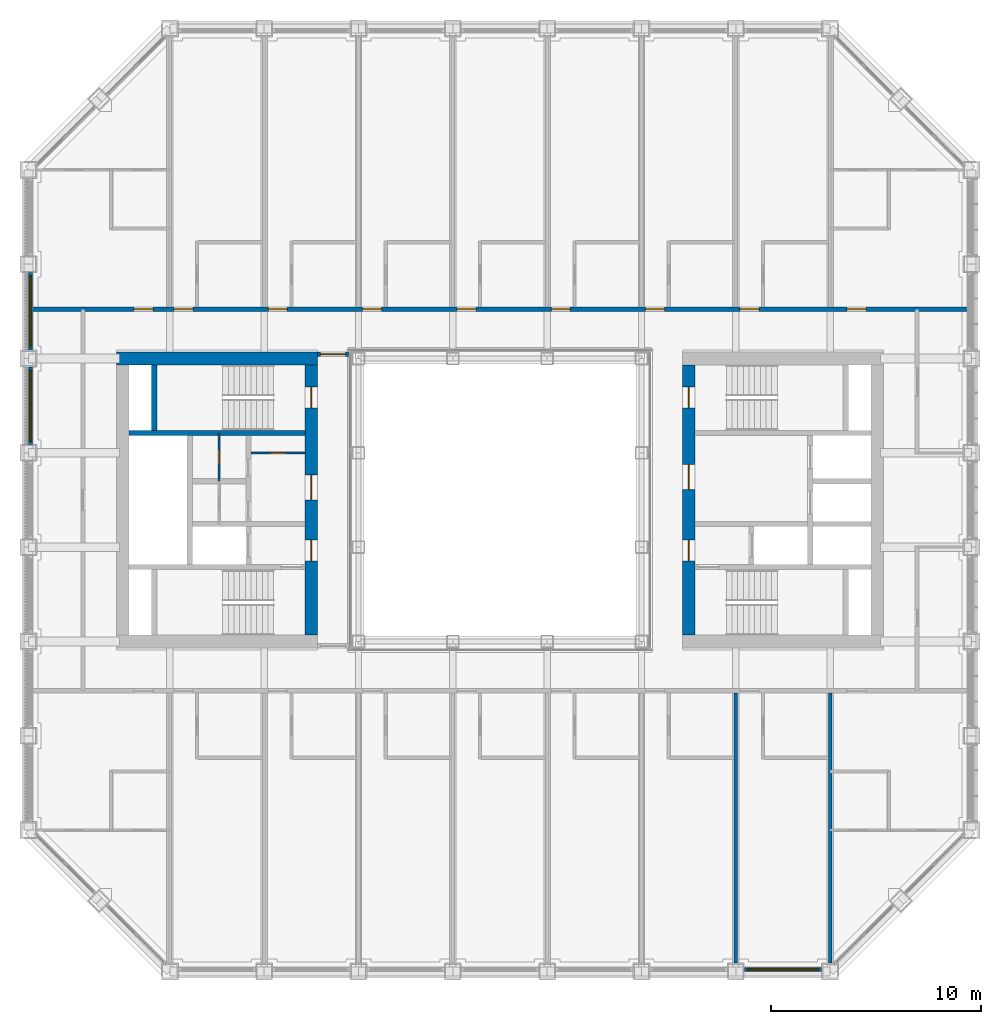
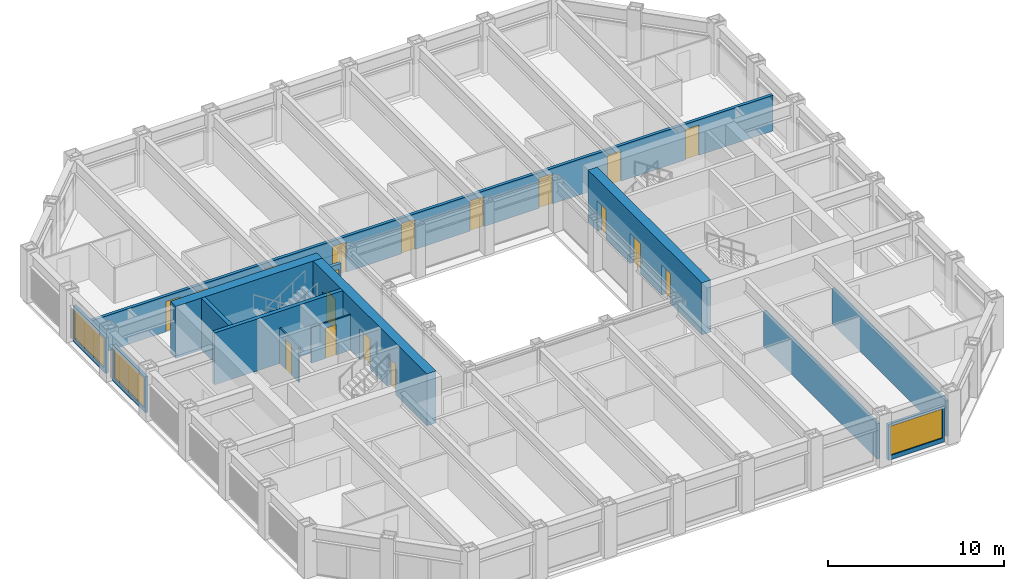
# One storey, part 12 of 18: 18 doors, 14 walls, 3 windows, 21 openings.
"""IFC4 building model written with IfcOpenShell, lengths in metres."""

from ifc_helpers import new_model, si_unit, direction, frame, frame_2d, origin, place, context, subcontext, project, spatial, rectangle, extrude, material, layer, layer_set, type_object, element, fill, save


model = new_model("IFC4")

# Units and contexts
model_context = context("Model", 3, precision=1e-05, world=origin(), true_north=direction((0.0, 1.0)))
body_context = subcontext(model_context, "Body", "Model", "MODEL_VIEW")
ifc_project = project(units=[si_unit("LENGTHUNIT", "METRE"), si_unit("AREAUNIT", "SQUARE_METRE"), si_unit("VOLUMEUNIT", "CUBIC_METRE"), si_unit("PLANEANGLEUNIT", "RADIAN"), si_unit("MASSUNIT", "GRAM", prefix="KILO")], contexts=[model_context])

# Site, building, storey
site_placement = place(None, origin())
site = spatial("IfcSite", under=ifc_project, at=site_placement, CompositionType="ELEMENT")
building_placement = place(site_placement, origin())
building = spatial("IfcBuilding", under=site, at=building_placement, Name="Msasa Ring Tower", CompositionType="ELEMENT")
storey_placement = place(building_placement, frame((0.0, 0.0, 118.39990234375)))
storey = spatial("IfcBuildingStorey", under=building, at=storey_placement, Name="L30", CompositionType="ELEMENT", Elevation=118.39990234375)

# Wall, openings, doors
ifc_material_1 = material(Name="Concrete C60/75", Category="concrete")
ifc_layer_1 = layer(ifc_material_1, 0.60009765625)
ifc_layer_set_1 = layer_set([ifc_layer_1], Name="CW2 CORE WALL 600")
wall_type_1 = type_object("IfcWallType", Name="CW2 CORE WALL 600", PredefinedType="SHEAR", material=ifc_layer_set_1)
wall_1_placement = place(storey_placement, frame((9.0, -6.449951171875, 0.0), z_axis=(0.0, 0.0, 1.0), x_axis=(0.0, 1.0, 0.0)))
wall_1 = element("IfcWall", 1, at=wall_1_placement, inside=storey, type_object=wall_type_1, Name="E core wall W L30", PredefinedType="SHEAR", context=body_context, shape_type="SweptSolid", body=[
    extrude(rectangle(XDim=12.89990234375, YDim=0.60009765625, at=frame_2d((6.449951171875, 0.0))), origin(), (0.0, 0.0, 1.0), 3.60009765625),
])
opening_1_placement = place(wall_1_placement, frame((3.550048828125, 0.0, 0.0)))
opening_1 = element("IfcOpeningElement", 2, at=opening_1_placement, cuts=wall_1, Name="Opening HA-034", PredefinedType="OPENING", context=body_context, shape_type="SweptSolid", body=[
    extrude(rectangle(XDim=1.0, YDim=2.10009765625, at=frame_2d((0.5, 1.050048828125))), frame((0.0, 0.31005859375, 0.0), z_axis=(0.0, -1.0, 0.0), x_axis=(1.0, 0.0, 0.0)), (0.0, 0.0, 1.0), 0.6201171875),
])
opening_2_placement = place(wall_1_placement, frame((6.949951171875, 0.0, 0.0)))
opening_2 = element("IfcOpeningElement", 3, at=opening_2_placement, cuts=wall_1, Name="Opening HA-028", PredefinedType="OPENING", context=body_context, shape_type="SweptSolid", body=[
    extrude(rectangle(XDim=1.199951171875, YDim=2.10009765625, at=frame_2d((0.60009765625, 1.050048828125))), frame((0.0, 0.31005859375, 0.0), z_axis=(0.0, -1.0, 0.0), x_axis=(1.0, 0.0, 0.0)), (0.0, 0.0, 1.0), 0.6201171875),
])
opening_3_placement = place(wall_1_placement, frame((10.85009765625, 0.0, 0.0)))
opening_3 = element("IfcOpeningElement", 4, at=opening_3_placement, cuts=wall_1, Name="Opening HA-024", PredefinedType="OPENING", context=body_context, shape_type="SweptSolid", body=[
    extrude(rectangle(XDim=1.0, YDim=2.10009765625, at=frame_2d((0.5, 1.050048828125))), frame((0.0, 0.31005859375, 0.0), z_axis=(0.0, -1.0, 0.0), x_axis=(1.0, 0.0, 0.0)), (0.0, 0.0, 1.0), 0.6201171875),
])
ifc_material_2 = material(Name="Timber door leaf in a steel frame", Category="steel")
door_type_1 = type_object("IfcDoorType", Name="D4 LOBBY DOOR 1000x2100", OperationType="SINGLE_SWING_LEFT", PredefinedType="DOOR", material=ifc_material_2)
door_1_placement = place(opening_1_placement, origin())
door_1 = element("IfcDoor", 5, at=door_1_placement, inside=storey, type_object=door_type_1, Name="Door L30-EFFL", OperationType="SINGLE_SWING_LEFT", OverallHeight=2.10009765625, OverallWidth=1.0, PredefinedType="DOOR", context=body_context, shape_type="SweptSolid", body=[
    extrude(rectangle(XDim=1.0, YDim=2.10009765625, at=frame_2d((0.5, 1.050048828125))), frame((0.0, 0.02490234375, 0.0), z_axis=(0.0, -1.0, 0.0), x_axis=(1.0, 0.0, 0.0)), (0.0, 0.0, 1.0), 0.050048828125),
])
fill(opening_1, door_1)
ifc_material_3 = material(Name="Timber door leaf in a steel frame", Category="steel")
door_type_2 = type_object("IfcDoorType", Name="D5 WIDE LOBBY DOOR 1200x2100", OperationType="SINGLE_SWING_LEFT", PredefinedType="DOOR", material=ifc_material_3)
door_2_placement = place(opening_2_placement, origin())
door_2 = element("IfcDoor", 6, at=door_2_placement, inside=storey, type_object=door_type_2, Name="Door L30-ELL", OperationType="SINGLE_SWING_RIGHT", OverallHeight=2.10009765625, OverallWidth=1.199951171875, PredefinedType="DOOR", context=body_context, shape_type="SweptSolid", body=[
    extrude(rectangle(XDim=1.199951171875, YDim=2.10009765625, at=frame_2d((0.60009765625, 1.050048828125))), frame((0.0, 0.02490234375, 0.0), z_axis=(0.0, -1.0, 0.0), x_axis=(1.0, 0.0, 0.0)), (0.0, 0.0, 1.0), 0.050048828125),
])
fill(opening_2, door_2)
ifc_material_4 = material(Name="Timber door leaf in a steel frame", Category="steel")
door_type_3 = type_object("IfcDoorType", Name="D6 STAIR DOOR 1000x2100", OperationType="SINGLE_SWING_LEFT", PredefinedType="DOOR", material=ifc_material_4)
door_3_placement = place(opening_3_placement, origin())
door_3 = element("IfcDoor", 7, at=door_3_placement, inside=storey, type_object=door_type_3, Name="Door L30-ESTB", OperationType="SINGLE_SWING_RIGHT", OverallHeight=2.10009765625, OverallWidth=1.0, PredefinedType="DOOR", context=body_context, shape_type="SweptSolid", body=[
    extrude(rectangle(XDim=1.0, YDim=2.10009765625, at=frame_2d((0.5, 1.050048828125))), frame((0.0, 0.02490234375, 0.0), z_axis=(0.0, -1.0, 0.0), x_axis=(1.0, 0.0, 0.0)), (0.0, 0.0, 1.0), 0.050048828125),
])
fill(opening_3, door_3)

# Wall
wall_2_placement = place(storey_placement, frame((-8.699951171875, 6.75, 0.0), z_axis=(0.0, 0.0, 1.0), x_axis=(-1.0, 0.0, 0.0)))
element("IfcWall", 8, at=wall_2_placement, inside=storey, type_object=wall_type_1, Name="W core wall N L30", PredefinedType="SHEAR", context=body_context, shape_type="SweptSolid", body=[
    extrude(rectangle(XDim=9.60009765625, YDim=0.60009765625, at=frame_2d((4.800048828125, 0.0))), origin(), (0.0, 0.0, 1.0), 3.60009765625),
])

# Wall, openings, doors
wall_3_placement = place(storey_placement, frame((-9.0, -6.449951171875, 0.0), z_axis=(0.0, 0.0, 1.0), x_axis=(0.0, 1.0, 0.0)))
wall_3 = element("IfcWall", 9, at=wall_3_placement, inside=storey, type_object=wall_type_1, Name="W core wall W L30", PredefinedType="SHEAR", context=body_context, shape_type="SweptSolid", body=[
    extrude(rectangle(XDim=12.89990234375, YDim=0.60009765625, at=frame_2d((6.449951171875, 0.0))), origin(), (0.0, 0.0, 1.0), 3.60009765625),
])
opening_4_placement = place(wall_3_placement, frame((3.550048828125, 0.0, 0.0)))
opening_4 = element("IfcOpeningElement", 10, at=opening_4_placement, cuts=wall_3, Name="Opening HA-033", PredefinedType="OPENING", context=body_context, shape_type="SweptSolid", body=[
    extrude(rectangle(XDim=1.0, YDim=2.10009765625, at=frame_2d((0.5, 1.050048828125))), frame((0.0, 0.31005859375, 0.0), z_axis=(0.0, -1.0, 0.0), x_axis=(1.0, 0.0, 0.0)), (0.0, 0.0, 1.0), 0.6201171875),
])
opening_5_placement = place(wall_3_placement, frame((6.449951171875, 0.0, 0.0)))
opening_5 = element("IfcOpeningElement", 11, at=opening_5_placement, cuts=wall_3, Name="Opening HA-029", PredefinedType="OPENING", context=body_context, shape_type="SweptSolid", body=[
    extrude(rectangle(XDim=1.199951171875, YDim=2.10009765625, at=frame_2d((0.60009765625, 1.050048828125))), frame((0.0, 0.31005859375, 0.0), z_axis=(0.0, -1.0, 0.0), x_axis=(1.0, 0.0, 0.0)), (0.0, 0.0, 1.0), 0.6201171875),
])
opening_6_placement = place(wall_3_placement, frame((10.85009765625, 0.0, 0.0)))
opening_6 = element("IfcOpeningElement", 12, at=opening_6_placement, cuts=wall_3, Name="Opening HA-023", PredefinedType="OPENING", context=body_context, shape_type="SweptSolid", body=[
    extrude(rectangle(XDim=1.0, YDim=2.10009765625, at=frame_2d((0.5, 1.050048828125))), frame((0.0, 0.31005859375, 0.0), z_axis=(0.0, -1.0, 0.0), x_axis=(1.0, 0.0, 0.0)), (0.0, 0.0, 1.0), 0.6201171875),
])
door_4_placement = place(opening_4_placement, origin())
door_4 = element("IfcDoor", 13, at=door_4_placement, inside=storey, type_object=door_type_1, Name="Door L30-WFFL", OperationType="SINGLE_SWING_LEFT", OverallHeight=2.10009765625, OverallWidth=1.0, PredefinedType="DOOR", context=body_context, shape_type="SweptSolid", body=[
    extrude(rectangle(XDim=1.0, YDim=2.10009765625, at=frame_2d((0.5, 1.050048828125))), frame((0.0, 0.02490234375, 0.0), z_axis=(0.0, -1.0, 0.0), x_axis=(1.0, 0.0, 0.0)), (0.0, 0.0, 1.0), 0.050048828125),
])
fill(opening_4, door_4)
door_5_placement = place(opening_5_placement, origin())
door_5 = element("IfcDoor", 14, at=door_5_placement, inside=storey, type_object=door_type_2, Name="Door L30-WLL", OperationType="SINGLE_SWING_RIGHT", OverallHeight=2.10009765625, OverallWidth=1.199951171875, PredefinedType="DOOR", context=body_context, shape_type="SweptSolid", body=[
    extrude(rectangle(XDim=1.199951171875, YDim=2.10009765625, at=frame_2d((0.60009765625, 1.050048828125))), frame((0.0, 0.02490234375, 0.0), z_axis=(0.0, -1.0, 0.0), x_axis=(1.0, 0.0, 0.0)), (0.0, 0.0, 1.0), 0.050048828125),
])
fill(opening_5, door_5)
door_6_placement = place(opening_6_placement, origin())
door_6 = element("IfcDoor", 15, at=door_6_placement, inside=storey, type_object=door_type_3, Name="Door L30-WSTB", OperationType="SINGLE_SWING_RIGHT", OverallHeight=2.10009765625, OverallWidth=1.0, PredefinedType="DOOR", context=body_context, shape_type="SweptSolid", body=[
    extrude(rectangle(XDim=1.0, YDim=2.10009765625, at=frame_2d((0.5, 1.050048828125))), frame((0.0, 0.02490234375, 0.0), z_axis=(0.0, -1.0, 0.0), x_axis=(1.0, 0.0, 0.0)), (0.0, 0.0, 1.0), 0.050048828125),
])
fill(opening_6, door_6)

# Walls
ifc_material_5 = material(Name="Concrete C60/75", Category="concrete")
ifc_layer_2 = layer(ifc_material_5, 0.25)
ifc_layer_set_2 = layer_set([ifc_layer_2], Name="CW4 CORE INNER WALL 250")
wall_type_2 = type_object("IfcWallType", Name="CW4 CORE INNER WALL 250", PredefinedType="SHEAR", material=ifc_layer_set_2)
wall_4_placement = place(storey_placement, frame((-9.300048828125, 3.199951171875, 0.0), z_axis=(0.0, 0.0, 1.0), x_axis=(-1.0, 0.0, 0.0)))
element("IfcWall", 16, at=wall_4_placement, inside=storey, type_object=wall_type_2, Name="W core wall STAIRB L30", PredefinedType="SHEAR", context=body_context, shape_type="SweptSolid", body=[
    extrude(rectangle(XDim=8.39990234375, YDim=0.25, at=frame_2d((4.199951171875, 0.0))), origin(), (0.0, 0.0, 1.0), 3.60009765625),
])
wall_5_placement = place(storey_placement, frame((-16.5, 3.324951171875, 0.0), z_axis=(0.0, 0.0, 1.0), x_axis=(0.0, 1.0, 0.0)))
element("IfcWall", 17, at=wall_5_placement, inside=storey, type_object=wall_type_2, Name="W core wall RISERB L30", PredefinedType="SHEAR", context=body_context, shape_type="SweptSolid", body=[
    extrude(rectangle(XDim=3.125, YDim=0.25, at=frame_2d((1.5625, 0.0))), origin(), (0.0, 0.0, 1.0), 3.60009765625),
])

# Wall, opening, window
ifc_material_6 = material(Name="Terracotta rainscreen on blockwork", Category="masonry")
ifc_layer_3 = layer(ifc_material_6, 0.199951171875)
ifc_layer_set_3 = layer_set([ifc_layer_3], Name="FW1 TERRACOTTA-LINED INFILL BAY WALL 200")
wall_type_3 = type_object("IfcWallType", Name="FW1 TERRACOTTA-LINED INFILL BAY WALL 200", PredefinedType="SOLIDWALL", material=ifc_layer_set_3)
wall_6_placement = place(storey_placement, frame((11.655029296875, -22.39990234375, 0.0), z_axis=(0.0, 0.0, 1.0), x_axis=(1.0, 0.0, 0.0)))
wall_6 = element("IfcWall", 18, at=wall_6_placement, inside=storey, type_object=wall_type_3, Name="Infill bay wall S L30 06", PredefinedType="SOLIDWALL", context=body_context, shape_type="SweptSolid", body=[
    extrude(rectangle(XDim=3.68994140625, YDim=0.199951171875, at=frame_2d((1.844970703125, 0.0))), origin(), (0.0, 0.0, 1.0), 2.47900390625),
])
opening_7_placement = place(wall_6_placement, frame((0.14501953125, 0.0, 0.300048828125)))
opening_7 = element("IfcOpeningElement", 19, at=opening_7_placement, cuts=wall_6, Name="Opening WN2", PredefinedType="OPENING", context=body_context, shape_type="SweptSolid", body=[
    extrude(rectangle(XDim=3.39990234375, YDim=2.029052734375, at=frame_2d((1.699951171875, 1.0146484375))), frame((0.0, 0.10986328125, 0.0), z_axis=(0.0, -1.0, 0.0), x_axis=(1.0, 0.0, 0.0)), (0.0, 0.0, 1.0), 0.219970703125),
])
ifc_material_7 = material(Name="Aluminium frame with clear glass", Category="aluminium")
window_type = type_object("IfcWindowType", Name="WN2 GUEST ROOM WINDOW 3400x2029", PartitioningType="SINGLE_PANEL", PredefinedType="WINDOW", material=ifc_material_7)
window_1_placement = place(opening_7_placement, origin())
window_1 = element("IfcWindow", 20, at=window_1_placement, inside=storey, type_object=window_type, Name="Window S L30 06", OverallHeight=2.029052734375, OverallWidth=3.39990234375, PartitioningType="SINGLE_PANEL", PredefinedType="WINDOW", context=body_context, shape_type="SweptSolid", body=[
    extrude(rectangle(XDim=3.39990234375, YDim=2.029052734375, at=frame_2d((1.699951171875, 1.0146484375))), frame((0.0, 0.030029296875, 0.0), z_axis=(0.0, -1.0, 0.0), x_axis=(1.0, 0.0, 0.0)), (0.0, 0.0, 1.0), 0.06005859375),
])
fill(opening_7, window_1)

wall_7_placement = place(storey_placement, frame((-22.39990234375, 2.655029296875, 0.0), z_axis=(0.0, 0.0, 1.0), x_axis=(0.0, 1.0, 0.0)))
wall_7 = element("IfcWall", 21, at=wall_7_placement, inside=storey, type_object=wall_type_3, Name="Infill bay wall W L30 31", PredefinedType="SOLIDWALL", context=body_context, shape_type="SweptSolid", body=[
    extrude(rectangle(XDim=3.68994140625, YDim=0.199951171875, at=frame_2d((1.844970703125, 0.0))), origin(), (0.0, 0.0, 1.0), 2.47900390625),
])
opening_8_placement = place(wall_7_placement, frame((0.14501953125, 0.0, 0.300048828125)))
opening_8 = element("IfcOpeningElement", 22, at=opening_8_placement, cuts=wall_7, Name="Opening WN2", PredefinedType="OPENING", context=body_context, shape_type="SweptSolid", body=[
    extrude(rectangle(XDim=3.39990234375, YDim=2.029052734375, at=frame_2d((1.699951171875, 1.0146484375))), frame((0.0, 0.10986328125, 0.0), z_axis=(0.0, -1.0, 0.0), x_axis=(1.0, 0.0, 0.0)), (0.0, 0.0, 1.0), 0.219970703125),
])
window_2_placement = place(opening_8_placement, origin())
window_2 = element("IfcWindow", 23, at=window_2_placement, inside=storey, type_object=window_type, Name="Window W L30 31", OverallHeight=2.029052734375, OverallWidth=3.39990234375, PartitioningType="SINGLE_PANEL", PredefinedType="WINDOW", context=body_context, shape_type="SweptSolid", body=[
    extrude(rectangle(XDim=3.39990234375, YDim=2.029052734375, at=frame_2d((1.699951171875, 1.0146484375))), frame((0.0, 0.030029296875, 0.0), z_axis=(0.0, -1.0, 0.0), x_axis=(1.0, 0.0, 0.0)), (0.0, 0.0, 1.0), 0.06005859375),
])
fill(opening_8, window_2)

wall_8_placement = place(storey_placement, frame((-22.39990234375, 7.155029296875, 0.0), z_axis=(0.0, 0.0, 1.0), x_axis=(0.0, 1.0, 0.0)))
wall_8 = element("IfcWall", 24, at=wall_8_placement, inside=storey, type_object=wall_type_3, Name="Infill bay wall W L30 32", PredefinedType="SOLIDWALL", context=body_context, shape_type="SweptSolid", body=[
    extrude(rectangle(XDim=3.68994140625, YDim=0.199951171875, at=frame_2d((1.844970703125, 0.0))), origin(), (0.0, 0.0, 1.0), 2.47900390625),
])
opening_9_placement = place(wall_8_placement, frame((0.14501953125, 0.0, 0.300048828125)))
opening_9 = element("IfcOpeningElement", 25, at=opening_9_placement, cuts=wall_8, Name="Opening WN2", PredefinedType="OPENING", context=body_context, shape_type="SweptSolid", body=[
    extrude(rectangle(XDim=3.39990234375, YDim=2.029052734375, at=frame_2d((1.699951171875, 1.0146484375))), frame((0.0, 0.10986328125, 0.0), z_axis=(0.0, -1.0, 0.0), x_axis=(1.0, 0.0, 0.0)), (0.0, 0.0, 1.0), 0.219970703125),
])
window_3_placement = place(opening_9_placement, origin())
window_3 = element("IfcWindow", 26, at=window_3_placement, inside=storey, type_object=window_type, Name="Window W L30 32", OverallHeight=2.029052734375, OverallWidth=3.39990234375, PartitioningType="SINGLE_PANEL", PredefinedType="WINDOW", context=body_context, shape_type="SweptSolid", body=[
    extrude(rectangle(XDim=3.39990234375, YDim=2.029052734375, at=frame_2d((1.699951171875, 1.0146484375))), frame((0.0, 0.030029296875, 0.0), z_axis=(0.0, -1.0, 0.0), x_axis=(1.0, 0.0, 0.0)), (0.0, 0.0, 1.0), 0.06005859375),
])
fill(opening_9, window_3)

# Wall, opening, door
ifc_material_8 = material(Name="Concrete blockwork", Category="masonry")
ifc_layer_4 = layer(ifc_material_8, 0.199951171875)
ifc_layer_set_4 = layer_set([ifc_layer_4], Name="PT1 CORRIDOR WALL 200")
wall_type_4 = type_object("IfcWallType", Name="PT1 CORRIDOR WALL 200", PredefinedType="PARTITIONING", material=ifc_layer_set_4)
wall_9_placement = place(storey_placement, frame((-8.699951171875, 6.949951171875, 0.0), z_axis=(0.0, 0.0, 1.0), x_axis=(1.0, 0.0, 0.0)))
wall_9 = element("IfcWall", 27, at=wall_9_placement, inside=storey, type_object=wall_type_4, Name="Corridor wall L30-SDWN", PredefinedType="PARTITIONING", context=body_context, shape_type="SweptSolid", body=[
    extrude(rectangle(XDim=1.469970703125, YDim=0.199951171875, at=frame_2d((0.73486328125, 0.0))), origin(), (0.0, 0.0, 1.0), 2.473388671875),
])
opening_10_placement = place(wall_9_placement, frame((0.135009765625, 0.0, 0.0)))
opening_10 = element("IfcOpeningElement", 28, at=opening_10_placement, cuts=wall_9, Name="Opening HA-021", PredefinedType="OPENING", context=body_context, shape_type="SweptSolid", body=[
    extrude(rectangle(XDim=1.199951171875, YDim=2.10009765625, at=frame_2d((0.60009765625, 1.050048828125))), frame((0.0, 0.10986328125, 0.0), z_axis=(0.0, -1.0, 0.0), x_axis=(1.0, 0.0, 0.0)), (0.0, 0.0, 1.0), 0.219970703125),
])
ifc_material_9 = material(Name="Timber door leaf in a steel frame", Category="steel")
door_type_4 = type_object("IfcDoorType", Name="D25 CORRIDOR PAIR OF SMOKE DOORS 1200x2100", OperationType="DOUBLE_DOOR_DOUBLE_SWING", PredefinedType="DOOR", material=ifc_material_9)
door_7_placement = place(opening_10_placement, origin())
door_7 = element("IfcDoor", 29, at=door_7_placement, inside=storey, type_object=door_type_4, Name="Door L30-SDWN", OperationType="DOUBLE_DOOR_DOUBLE_SWING", OverallHeight=2.10009765625, OverallWidth=1.199951171875, PredefinedType="DOOR", context=body_context, shape_type="SweptSolid", body=[
    extrude(rectangle(XDim=1.199951171875, YDim=2.10009765625, at=frame_2d((0.60009765625, 1.050048828125))), frame((0.0, 0.02490234375, 0.0), z_axis=(0.0, -1.0, 0.0), x_axis=(1.0, 0.0, 0.0)), (0.0, 0.0, 1.0), 0.050048828125),
])
fill(opening_10, door_7)

# Wall, openings, doors
wall_10_placement = place(storey_placement, frame((-22.300048828125, 9.10009765625, 0.0), z_axis=(0.0, 0.0, 1.0), x_axis=(1.0, 0.0, 0.0)))
wall_10 = element("IfcWall", 30, at=wall_10_placement, inside=storey, type_object=wall_type_4, Name="Corridor wall L30-CORRN0", PredefinedType="PARTITIONING", context=body_context, shape_type="SweptSolid", body=[
    extrude(rectangle(XDim=44.60009765625, YDim=0.199951171875, at=frame_2d((22.300048828125, 0.0))), origin(), (0.0, 0.0, 1.0), 2.473388671875),
])
opening_11_placement = place(wall_10_placement, frame((6.75, 0.0, 0.0)))
opening_11 = element("IfcOpeningElement", 31, at=opening_11_placement, cuts=wall_10, Name="Opening HA-013", PredefinedType="OPENING", context=body_context, shape_type="SweptSolid", body=[
    extrude(rectangle(XDim=0.89990234375, YDim=2.10009765625, at=frame_2d((0.449951171875, 1.050048828125))), frame((0.0, 0.10986328125, 0.0), z_axis=(0.0, -1.0, 0.0), x_axis=(1.0, 0.0, 0.0)), (0.0, 0.0, 1.0), 0.219970703125),
])
opening_12_placement = place(wall_10_placement, frame((11.25, 0.0, 0.0)))
opening_12 = element("IfcOpeningElement", 32, at=opening_12_placement, cuts=wall_10, Name="Opening HA-014", PredefinedType="OPENING", context=body_context, shape_type="SweptSolid", body=[
    extrude(rectangle(XDim=0.89990234375, YDim=2.10009765625, at=frame_2d((0.449951171875, 1.050048828125))), frame((0.0, 0.10986328125, 0.0), z_axis=(0.0, -1.0, 0.0), x_axis=(1.0, 0.0, 0.0)), (0.0, 0.0, 1.0), 0.219970703125),
])
opening_13_placement = place(wall_10_placement, frame((15.75, 0.0, 0.0)))
opening_13 = element("IfcOpeningElement", 33, at=opening_13_placement, cuts=wall_10, Name="Opening HA-015", PredefinedType="OPENING", context=body_context, shape_type="SweptSolid", body=[
    extrude(rectangle(XDim=0.89990234375, YDim=2.10009765625, at=frame_2d((0.449951171875, 1.050048828125))), frame((0.0, 0.10986328125, 0.0), z_axis=(0.0, -1.0, 0.0), x_axis=(1.0, 0.0, 0.0)), (0.0, 0.0, 1.0), 0.219970703125),
])
opening_14_placement = place(wall_10_placement, frame((20.25, 0.0, 0.0)))
opening_14 = element("IfcOpeningElement", 34, at=opening_14_placement, cuts=wall_10, Name="Opening HA-016", PredefinedType="OPENING", context=body_context, shape_type="SweptSolid", body=[
    extrude(rectangle(XDim=0.89990234375, YDim=2.10009765625, at=frame_2d((0.449951171875, 1.050048828125))), frame((0.0, 0.10986328125, 0.0), z_axis=(0.0, -1.0, 0.0), x_axis=(1.0, 0.0, 0.0)), (0.0, 0.0, 1.0), 0.219970703125),
])
opening_15_placement = place(wall_10_placement, frame((24.75, 0.0, 0.0)))
opening_15 = element("IfcOpeningElement", 35, at=opening_15_placement, cuts=wall_10, Name="Opening HA-017", PredefinedType="OPENING", context=body_context, shape_type="SweptSolid", body=[
    extrude(rectangle(XDim=0.89990234375, YDim=2.10009765625, at=frame_2d((0.449951171875, 1.050048828125))), frame((0.0, 0.10986328125, 0.0), z_axis=(0.0, -1.0, 0.0), x_axis=(1.0, 0.0, 0.0)), (0.0, 0.0, 1.0), 0.219970703125),
])
opening_16_placement = place(wall_10_placement, frame((29.25, 0.0, 0.0)))
opening_16 = element("IfcOpeningElement", 36, at=opening_16_placement, cuts=wall_10, Name="Opening HA-018", PredefinedType="OPENING", context=body_context, shape_type="SweptSolid", body=[
    extrude(rectangle(XDim=0.89990234375, YDim=2.10009765625, at=frame_2d((0.449951171875, 1.050048828125))), frame((0.0, 0.10986328125, 0.0), z_axis=(0.0, -1.0, 0.0), x_axis=(1.0, 0.0, 0.0)), (0.0, 0.0, 1.0), 0.219970703125),
])
opening_17_placement = place(wall_10_placement, frame((33.75, 0.0, 0.0)))
opening_17 = element("IfcOpeningElement", 37, at=opening_17_placement, cuts=wall_10, Name="Opening HA-019", PredefinedType="OPENING", context=body_context, shape_type="SweptSolid", body=[
    extrude(rectangle(XDim=0.89990234375, YDim=2.10009765625, at=frame_2d((0.449951171875, 1.050048828125))), frame((0.0, 0.10986328125, 0.0), z_axis=(0.0, -1.0, 0.0), x_axis=(1.0, 0.0, 0.0)), (0.0, 0.0, 1.0), 0.219970703125),
])
opening_18_placement = place(wall_10_placement, frame((38.85009765625, 0.0, 0.0)))
opening_18 = element("IfcOpeningElement", 38, at=opening_18_placement, cuts=wall_10, Name="Opening HA-020", PredefinedType="OPENING", context=body_context, shape_type="SweptSolid", body=[
    extrude(rectangle(XDim=0.89990234375, YDim=2.10009765625, at=frame_2d((0.449951171875, 1.050048828125))), frame((0.0, 0.10986328125, 0.0), z_axis=(0.0, -1.0, 0.0), x_axis=(1.0, 0.0, 0.0)), (0.0, 0.0, 1.0), 0.219970703125),
])
opening_19_placement = place(wall_10_placement, frame((4.85009765625, 0.0, 0.0)))
opening_19 = element("IfcOpeningElement", 39, at=opening_19_placement, cuts=wall_10, Name="Opening HA-012", PredefinedType="OPENING", context=body_context, shape_type="SweptSolid", body=[
    extrude(rectangle(XDim=0.89990234375, YDim=2.10009765625, at=frame_2d((0.449951171875, 1.050048828125))), frame((0.0, 0.10986328125, 0.0), z_axis=(0.0, -1.0, 0.0), x_axis=(1.0, 0.0, 0.0)), (0.0, 0.0, 1.0), 0.219970703125),
])
ifc_material_10 = material(Name="Timber door leaf in a steel frame", Category="steel")
door_type_5 = type_object("IfcDoorType", Name="D1 SINGLE DOOR TO CORRIDOR 900x2100", OperationType="SINGLE_SWING_LEFT", PredefinedType="DOOR", material=ifc_material_10)
door_8_placement = place(opening_11_placement, origin())
door_8 = element("IfcDoor", 40, at=door_8_placement, inside=storey, type_object=door_type_5, Name="Door L30-GN00", OperationType="SINGLE_SWING_LEFT", OverallHeight=2.10009765625, OverallWidth=0.89990234375, PredefinedType="DOOR", context=body_context, shape_type="SweptSolid", body=[
    extrude(rectangle(XDim=0.89990234375, YDim=2.10009765625, at=frame_2d((0.449951171875, 1.050048828125))), frame((0.0, 0.02490234375, 0.0), z_axis=(0.0, -1.0, 0.0), x_axis=(1.0, 0.0, 0.0)), (0.0, 0.0, 1.0), 0.050048828125),
])
fill(opening_11, door_8)
door_9_placement = place(opening_12_placement, origin())
door_9 = element("IfcDoor", 41, at=door_9_placement, inside=storey, type_object=door_type_5, Name="Door L30-GN01", OperationType="SINGLE_SWING_LEFT", OverallHeight=2.10009765625, OverallWidth=0.89990234375, PredefinedType="DOOR", context=body_context, shape_type="SweptSolid", body=[
    extrude(rectangle(XDim=0.89990234375, YDim=2.10009765625, at=frame_2d((0.449951171875, 1.050048828125))), frame((0.0, 0.02490234375, 0.0), z_axis=(0.0, -1.0, 0.0), x_axis=(1.0, 0.0, 0.0)), (0.0, 0.0, 1.0), 0.050048828125),
])
fill(opening_12, door_9)
door_10_placement = place(opening_13_placement, origin())
door_10 = element("IfcDoor", 42, at=door_10_placement, inside=storey, type_object=door_type_5, Name="Door L30-GN02", OperationType="SINGLE_SWING_LEFT", OverallHeight=2.10009765625, OverallWidth=0.89990234375, PredefinedType="DOOR", context=body_context, shape_type="SweptSolid", body=[
    extrude(rectangle(XDim=0.89990234375, YDim=2.10009765625, at=frame_2d((0.449951171875, 1.050048828125))), frame((0.0, 0.02490234375, 0.0), z_axis=(0.0, -1.0, 0.0), x_axis=(1.0, 0.0, 0.0)), (0.0, 0.0, 1.0), 0.050048828125),
])
fill(opening_13, door_10)
door_11_placement = place(opening_14_placement, origin())
door_11 = element("IfcDoor", 43, at=door_11_placement, inside=storey, type_object=door_type_5, Name="Door L30-GN03", OperationType="SINGLE_SWING_LEFT", OverallHeight=2.10009765625, OverallWidth=0.89990234375, PredefinedType="DOOR", context=body_context, shape_type="SweptSolid", body=[
    extrude(rectangle(XDim=0.89990234375, YDim=2.10009765625, at=frame_2d((0.449951171875, 1.050048828125))), frame((0.0, 0.02490234375, 0.0), z_axis=(0.0, -1.0, 0.0), x_axis=(1.0, 0.0, 0.0)), (0.0, 0.0, 1.0), 0.050048828125),
])
fill(opening_14, door_11)
door_12_placement = place(opening_15_placement, origin())
door_12 = element("IfcDoor", 44, at=door_12_placement, inside=storey, type_object=door_type_5, Name="Door L30-GN04", OperationType="SINGLE_SWING_RIGHT", OverallHeight=2.10009765625, OverallWidth=0.89990234375, PredefinedType="DOOR", context=body_context, shape_type="SweptSolid", body=[
    extrude(rectangle(XDim=0.89990234375, YDim=2.10009765625, at=frame_2d((0.449951171875, 1.050048828125))), frame((0.0, 0.02490234375, 0.0), z_axis=(0.0, -1.0, 0.0), x_axis=(1.0, 0.0, 0.0)), (0.0, 0.0, 1.0), 0.050048828125),
])
fill(opening_15, door_12)
door_13_placement = place(opening_16_placement, origin())
door_13 = element("IfcDoor", 45, at=door_13_placement, inside=storey, type_object=door_type_5, Name="Door L30-GN05", OperationType="SINGLE_SWING_RIGHT", OverallHeight=2.10009765625, OverallWidth=0.89990234375, PredefinedType="DOOR", context=body_context, shape_type="SweptSolid", body=[
    extrude(rectangle(XDim=0.89990234375, YDim=2.10009765625, at=frame_2d((0.449951171875, 1.050048828125))), frame((0.0, 0.02490234375, 0.0), z_axis=(0.0, -1.0, 0.0), x_axis=(1.0, 0.0, 0.0)), (0.0, 0.0, 1.0), 0.050048828125),
])
fill(opening_16, door_13)
door_14_placement = place(opening_17_placement, origin())
door_14 = element("IfcDoor", 46, at=door_14_placement, inside=storey, type_object=door_type_5, Name="Door L30-GN06", OperationType="SINGLE_SWING_RIGHT", OverallHeight=2.10009765625, OverallWidth=0.89990234375, PredefinedType="DOOR", context=body_context, shape_type="SweptSolid", body=[
    extrude(rectangle(XDim=0.89990234375, YDim=2.10009765625, at=frame_2d((0.449951171875, 1.050048828125))), frame((0.0, 0.02490234375, 0.0), z_axis=(0.0, -1.0, 0.0), x_axis=(1.0, 0.0, 0.0)), (0.0, 0.0, 1.0), 0.050048828125),
])
fill(opening_17, door_14)
ifc_material_11 = material(Name="Timber door leaf in a steel frame", Category="steel")
door_type_6 = type_object("IfcDoorType", Name="D2 ENTRANCE DOOR 900x2100", OperationType="SINGLE_SWING_LEFT", PredefinedType="DOOR", material=ifc_material_11)
door_15_placement = place(opening_18_placement, origin())
door_15 = element("IfcDoor", 47, at=door_15_placement, inside=storey, type_object=door_type_6, Name="Door L30-CSNE", OperationType="SINGLE_SWING_RIGHT", OverallHeight=2.10009765625, OverallWidth=0.89990234375, PredefinedType="DOOR", context=body_context, shape_type="SweptSolid", body=[
    extrude(rectangle(XDim=0.89990234375, YDim=2.10009765625, at=frame_2d((0.449951171875, 1.050048828125))), frame((0.0, 0.02490234375, 0.0), z_axis=(0.0, -1.0, 0.0), x_axis=(1.0, 0.0, 0.0)), (0.0, 0.0, 1.0), 0.050048828125),
])
fill(opening_18, door_15)
door_16_placement = place(opening_19_placement, origin())
door_16 = element("IfcDoor", 48, at=door_16_placement, inside=storey, type_object=door_type_6, Name="Door L30-CSNW", OperationType="SINGLE_SWING_LEFT", OverallHeight=2.10009765625, OverallWidth=0.89990234375, PredefinedType="DOOR", context=body_context, shape_type="SweptSolid", body=[
    extrude(rectangle(XDim=0.89990234375, YDim=2.10009765625, at=frame_2d((0.449951171875, 1.050048828125))), frame((0.0, 0.02490234375, 0.0), z_axis=(0.0, -1.0, 0.0), x_axis=(1.0, 0.0, 0.0)), (0.0, 0.0, 1.0), 0.050048828125),
])
fill(opening_19, door_16)

# Wall, opening, door
ifc_material_12 = material(Name="Gypsum board on steel studs", Category="steel")
ifc_layer_5 = layer(ifc_material_12, 0.10009765625)
ifc_layer_set_5 = layer_set([ifc_layer_5], Name="PT2 STUD PARTITION 100")
wall_type_5 = type_object("IfcWallType", Name="PT2 STUD PARTITION 100", PredefinedType="PARTITIONING", material=ifc_layer_set_5)
wall_11_placement = place(storey_placement, frame((-11.875, 2.25, 0.0), z_axis=(0.0, 0.0, 1.0), x_axis=(1.0, 0.0, 0.0)))
wall_11 = element("IfcWall", 49, at=wall_11_placement, inside=storey, type_object=wall_type_5, Name="Partition L30-WCP", PredefinedType="PARTITIONING", context=body_context, shape_type="SweptSolid", body=[
    extrude(rectangle(XDim=2.574951171875, YDim=0.10009765625, at=frame_2d((1.28759765625, 0.0))), origin(), (0.0, 0.0, 1.0), 2.473388671875),
])
opening_20_placement = place(wall_11_placement, frame((0.9375, 0.0, 0.0)))
opening_20 = element("IfcOpeningElement", 50, at=opening_20_placement, cuts=wall_11, Name="Opening HA-025", PredefinedType="OPENING", context=body_context, shape_type="SweptSolid", body=[
    extrude(rectangle(XDim=0.699951171875, YDim=2.10009765625, at=frame_2d((0.35009765625, 1.050048828125))), frame((0.0, 0.06005859375, 0.0), z_axis=(0.0, -1.0, 0.0), x_axis=(1.0, 0.0, 0.0)), (0.0, 0.0, 1.0), 0.1201171875),
])
ifc_material_13 = material(Name="Timber door leaf in a steel frame", Category="steel")
door_type_7 = type_object("IfcDoorType", Name="D32 INTERNAL NARROW STORE DOOR 700x2100", OperationType="SINGLE_SWING_LEFT", PredefinedType="DOOR", material=ifc_material_13)
door_17_placement = place(opening_20_placement, origin())
door_17 = element("IfcDoor", 51, at=door_17_placement, inside=storey, type_object=door_type_7, Name="Door L30-WCP", OperationType="SINGLE_SWING_LEFT", OverallHeight=2.10009765625, OverallWidth=0.699951171875, PredefinedType="DOOR", context=body_context, shape_type="SweptSolid", body=[
    extrude(rectangle(XDim=0.699951171875, YDim=2.10009765625, at=frame_2d((0.35009765625, 1.050048828125))), frame((0.0, 0.02490234375, 0.0), z_axis=(0.0, -1.0, 0.0), x_axis=(1.0, 0.0, 0.0)), (0.0, 0.0, 1.0), 0.050048828125),
])
fill(opening_20, door_17)

wall_12_placement = place(storey_placement, frame((-13.39990234375, 0.89990234375, 0.0), z_axis=(0.0, 0.0, 1.0), x_axis=(0.0, 1.0, 0.0)))
wall_12 = element("IfcWall", 52, at=wall_12_placement, inside=storey, type_object=wall_type_5, Name="Partition L30-WRP2", PredefinedType="PARTITIONING", context=body_context, shape_type="SweptSolid", body=[
    extrude(rectangle(XDim=2.300048828125, YDim=0.10009765625, at=frame_2d((1.14990234375, 0.0))), origin(), (0.0, 0.0, 1.0), 2.473388671875),
])
opening_21_placement = place(wall_12_placement, frame((0.800048828125, 0.0, 0.0)))
opening_21 = element("IfcOpeningElement", 53, at=opening_21_placement, cuts=wall_12, Name="Opening HA-026", PredefinedType="OPENING", context=body_context, shape_type="SweptSolid", body=[
    extrude(rectangle(XDim=0.699951171875, YDim=2.10009765625, at=frame_2d((0.35009765625, 1.050048828125))), frame((0.0, 0.06005859375, 0.0), z_axis=(0.0, -1.0, 0.0), x_axis=(1.0, 0.0, 0.0)), (0.0, 0.0, 1.0), 0.1201171875),
])
door_18_placement = place(opening_21_placement, origin())
door_18 = element("IfcDoor", 54, at=door_18_placement, inside=storey, type_object=door_type_7, Name="Door L30-WRC2", OperationType="SINGLE_SWING_LEFT", OverallHeight=2.10009765625, OverallWidth=0.699951171875, PredefinedType="DOOR", context=body_context, shape_type="SweptSolid", body=[
    extrude(rectangle(XDim=0.699951171875, YDim=2.10009765625, at=frame_2d((0.35009765625, 1.050048828125))), frame((0.0, 0.02490234375, 0.0), z_axis=(0.0, -1.0, 0.0), x_axis=(1.0, 0.0, 0.0)), (0.0, 0.0, 1.0), 0.050048828125),
])
fill(opening_21, door_18)

# Walls
ifc_material_14 = material(Name="Twin steel studs, two layers of acoustic board each face, mineral wool", Category="steel")
ifc_layer_6 = layer(ifc_material_14, 0.175048828125)
ifc_layer_set_6 = layer_set([ifc_layer_6], Name="PT5 GUEST ROOM SEPARATING WALL 175")
wall_type_6 = type_object("IfcWallType", Name="PT5 GUEST ROOM SEPARATING WALL 175", PredefinedType="PARTITIONING", material=ifc_layer_set_6)
for number, where, z_axis, x_axis, name in (
    (55, (11.25, -22.10009765625, 0.0), (0.0, 0.0, 1.0), (0.0, 1.0, 0.0), "Partition L30-PWS+11.25"),
    (56, (15.75, -22.10009765625, 0.0), (0.0, 0.0, 1.0), (0.0, 1.0, 0.0), "Partition L30-PWS+15.75"),
):
    element("IfcWall", number, at=place(storey_placement, frame(where, z_axis=z_axis, x_axis=x_axis)), inside=storey, type_object=wall_type_6, Name=name, PredefinedType="PARTITIONING", context=body_context, shape_type="SweptSolid", body=[
        extrude(rectangle(XDim=12.900146484375, YDim=0.175048828125, at=frame_2d((6.4501953125, 0.0))), origin(), (0.0, 0.0, 1.0), 2.473388671875),
    ])

save(model, "model.ifc")
